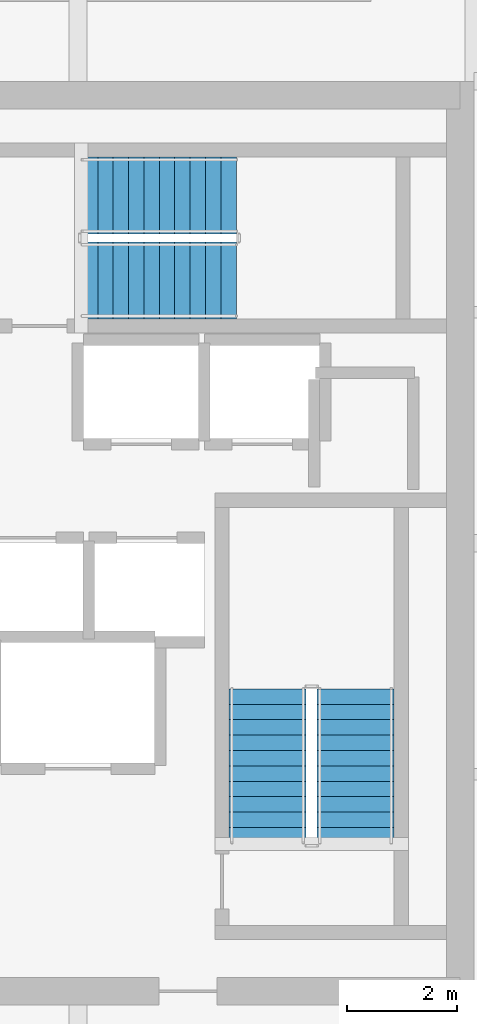
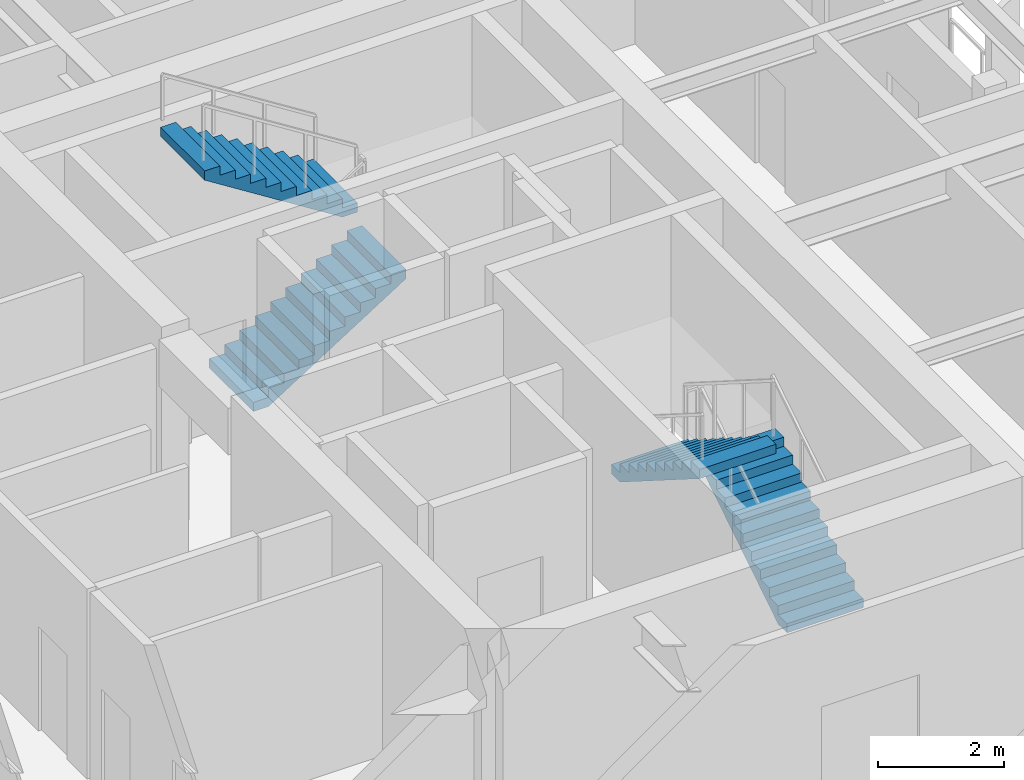
# One storey, part 14 of 16: 4 stair flights, 2 elements without a shape of their own.
"""IFC4 building model written with IfcOpenShell, lengths in metres."""

from ifc_helpers import new_model, si_unit, direction, frame, origin, place, context, subcontext, project, spatial, polyline, outline, extrude, material, type_object, element, aggregate, save


model = new_model("IFC4")

# Units and contexts
model_context = context("Model", 3, precision=1e-05, world=origin(), true_north=direction((0.0, 1.0)))
body_context = subcontext(model_context, "Body", "Model", "MODEL_VIEW")
ifc_project = project(units=[si_unit("LENGTHUNIT", "METRE"), si_unit("AREAUNIT", "SQUARE_METRE"), si_unit("VOLUMEUNIT", "CUBIC_METRE"), si_unit("PLANEANGLEUNIT", "RADIAN"), si_unit("MASSUNIT", "GRAM", prefix="KILO")], contexts=[model_context])

# Site, building, storey
site_placement = place(None, origin())
site = spatial("IfcSite", under=ifc_project, at=site_placement, CompositionType="ELEMENT")
building_placement = place(site_placement, origin())
building = spatial("IfcBuilding", under=site, at=building_placement, Name="Kiyonajd Concourse Tower", CompositionType="ELEMENT")
storey_placement = place(building_placement, frame((0.0, 0.0, 325.800048828125)))
storey = spatial("IfcBuildingStorey", under=building, at=storey_placement, Name="L82", CompositionType="ELEMENT", Elevation=325.800048828125)

# Stair, stair flights
ifc_material = material(Name="Concrete C40/50", Category="concrete")
stair_type = type_object("IfcStairType", Name="ST-DLG-22R", PredefinedType="HALF_TURN_STAIR", material=ifc_material)
stair_1_placement = place(storey_placement, origin())
stair_1 = element("IfcStair", 1, at=stair_1_placement, inside=storey, type_object=stair_type, Name="L82 Protected Exit Stair ST2", PredefinedType="HALF_TURN_STAIR")
stair_flight_type = type_object("IfcStairFlightType", Name="SF-STR-22R", PredefinedType="STRAIGHT", material=ifc_material)
stair_flight_1_placement = place(storey_placement, frame((61.449951171875, 30.550048828125, 0.0), z_axis=(0.0, 0.0, 1.0), x_axis=(0.0, 1.0, 0.0)))
stair_flight_1 = element("IfcStairFlight", 2, at=stair_flight_1_placement, type_object=stair_flight_type, Name="ST2 flight 1", NumberOfRisers=11, NumberOfTreads=10, PredefinedType="STRAIGHT", RiserHeight=0.177272727, TreadLength=0.28, context=body_context, shape_type="SweptSolid", body=[
    extrude(outline(polyline([(0.0, 0.0), (0.0, 0.17724609375), (0.280029296875, 0.17724609375), (0.280029296875, 0.3544921875), (0.56005859375, 0.3544921875), (0.56005859375, 0.53173828125), (0.840087890625, 0.53173828125), (0.840087890625, 0.708984375), (1.1201171875, 0.708984375), (1.1201171875, 0.886474609375), (1.39990234375, 0.886474609375), (1.39990234375, 1.063720703125), (1.679931640625, 1.063720703125), (1.679931640625, 1.240966796875), (1.9599609375, 1.240966796875), (1.9599609375, 1.418212890625), (2.239990234375, 1.418212890625), (2.239990234375, 1.595458984375), (2.52001953125, 1.595458984375), (2.52001953125, 1.772705078125), (2.800048828125, 1.772705078125), (2.800048828125, 1.949951171875), (2.800048828125, 1.59521484375), (0.2802734375, 0.0), (0.0, 0.0)])), frame((0.0, 0.699951171875, 0.0), z_axis=(0.0, -1.0, 0.0), x_axis=(1.0, 0.0, 0.0)), (0.0, 0.0, 1.0), 1.39990234375),
])
stair_flight_2_placement = place(storey_placement, frame((59.85009765625, 33.35009765625, 1.949951171875), z_axis=(0.0, 0.0, 1.0), x_axis=(0.0, -1.0, 0.0)))
stair_flight_2 = element("IfcStairFlight", 3, at=stair_flight_2_placement, type_object=stair_flight_type, Name="ST2 flight 2", NumberOfRisers=11, NumberOfTreads=10, PredefinedType="STRAIGHT", RiserHeight=0.177272727, TreadLength=0.28, context=body_context, shape_type="SweptSolid", body=[
    extrude(outline(polyline([(0.0, 0.0), (0.0, 0.17724609375), (0.280029296875, 0.17724609375), (0.280029296875, 0.3544921875), (0.56005859375, 0.3544921875), (0.56005859375, 0.53173828125), (0.840087890625, 0.53173828125), (0.840087890625, 0.708984375), (1.1201171875, 0.708984375), (1.1201171875, 0.886474609375), (1.39990234375, 0.886474609375), (1.39990234375, 1.063720703125), (1.679931640625, 1.063720703125), (1.679931640625, 1.240966796875), (1.9599609375, 1.240966796875), (1.9599609375, 1.418212890625), (2.239990234375, 1.418212890625), (2.239990234375, 1.595458984375), (2.52001953125, 1.595458984375), (2.52001953125, 1.772705078125), (2.800048828125, 1.772705078125), (2.800048828125, 1.949951171875), (2.800048828125, 1.59521484375), (0.2802734375, 0.0), (0.0, 0.0)])), frame((0.0, 0.699951171875, 0.0), z_axis=(0.0, -1.0, 0.0), x_axis=(1.0, 0.0, 0.0)), (0.0, 0.0, 1.0), 1.39990234375),
])
aggregate(stair_1, [stair_flight_1, stair_flight_2])

stair_2_placement = place(storey_placement, origin())
stair_2 = element("IfcStair", 4, at=stair_2_placement, inside=storey, type_object=stair_type, Name="L82 Protected Exit Stair ST3", PredefinedType="HALF_TURN_STAIR")
stair_flight_3_placement = place(storey_placement, frame((56.47998046875, 40.780029296875, 0.0), z_axis=(0.0, 0.0, 1.0), x_axis=(1.0, 0.0, 0.0)))
stair_flight_3 = element("IfcStairFlight", 5, at=stair_flight_3_placement, type_object=stair_flight_type, Name="ST3 flight 1", NumberOfRisers=11, NumberOfTreads=10, PredefinedType="STRAIGHT", RiserHeight=0.177272727, TreadLength=0.28, context=body_context, shape_type="SweptSolid", body=[
    extrude(outline(polyline([(0.0, 0.0), (0.0, 0.17724609375), (0.280029296875, 0.17724609375), (0.280029296875, 0.3544921875), (0.56005859375, 0.3544921875), (0.56005859375, 0.53173828125), (0.840087890625, 0.53173828125), (0.840087890625, 0.708984375), (1.1201171875, 0.708984375), (1.1201171875, 0.886474609375), (1.39990234375, 0.886474609375), (1.39990234375, 1.063720703125), (1.679931640625, 1.063720703125), (1.679931640625, 1.240966796875), (1.9599609375, 1.240966796875), (1.9599609375, 1.418212890625), (2.239990234375, 1.418212890625), (2.239990234375, 1.595458984375), (2.52001953125, 1.595458984375), (2.52001953125, 1.772705078125), (2.800048828125, 1.772705078125), (2.800048828125, 1.949951171875), (2.800048828125, 1.59521484375), (0.2802734375, 0.0), (0.0, 0.0)])), frame((0.0, 0.699951171875, 0.0), z_axis=(0.0, -1.0, 0.0), x_axis=(1.0, 0.0, 0.0)), (0.0, 0.0, 1.0), 1.39990234375),
])
stair_flight_4_placement = place(storey_placement, frame((59.280029296875, 42.320068359375, 1.949951171875), z_axis=(0.0, 0.0, 1.0), x_axis=(-1.0, 0.0, 0.0)))
stair_flight_4 = element("IfcStairFlight", 6, at=stair_flight_4_placement, type_object=stair_flight_type, Name="ST3 flight 2", NumberOfRisers=11, NumberOfTreads=10, PredefinedType="STRAIGHT", RiserHeight=0.177272727, TreadLength=0.28, context=body_context, shape_type="SweptSolid", body=[
    extrude(outline(polyline([(0.0, 0.0), (0.0, 0.17724609375), (0.280029296875, 0.17724609375), (0.280029296875, 0.3544921875), (0.56005859375, 0.3544921875), (0.56005859375, 0.53173828125), (0.840087890625, 0.53173828125), (0.840087890625, 0.708984375), (1.1201171875, 0.708984375), (1.1201171875, 0.886474609375), (1.39990234375, 0.886474609375), (1.39990234375, 1.063720703125), (1.679931640625, 1.063720703125), (1.679931640625, 1.240966796875), (1.9599609375, 1.240966796875), (1.9599609375, 1.418212890625), (2.239990234375, 1.418212890625), (2.239990234375, 1.595458984375), (2.52001953125, 1.595458984375), (2.52001953125, 1.772705078125), (2.800048828125, 1.772705078125), (2.800048828125, 1.949951171875), (2.800048828125, 1.59521484375), (0.2802734375, 0.0), (0.0, 0.0)])), frame((0.0, 0.699951171875, 0.0), z_axis=(0.0, -1.0, 0.0), x_axis=(1.0, 0.0, 0.0)), (0.0, 0.0, 1.0), 1.39990234375),
])
aggregate(stair_2, [stair_flight_3, stair_flight_4])

save(model, "model.ifc")
